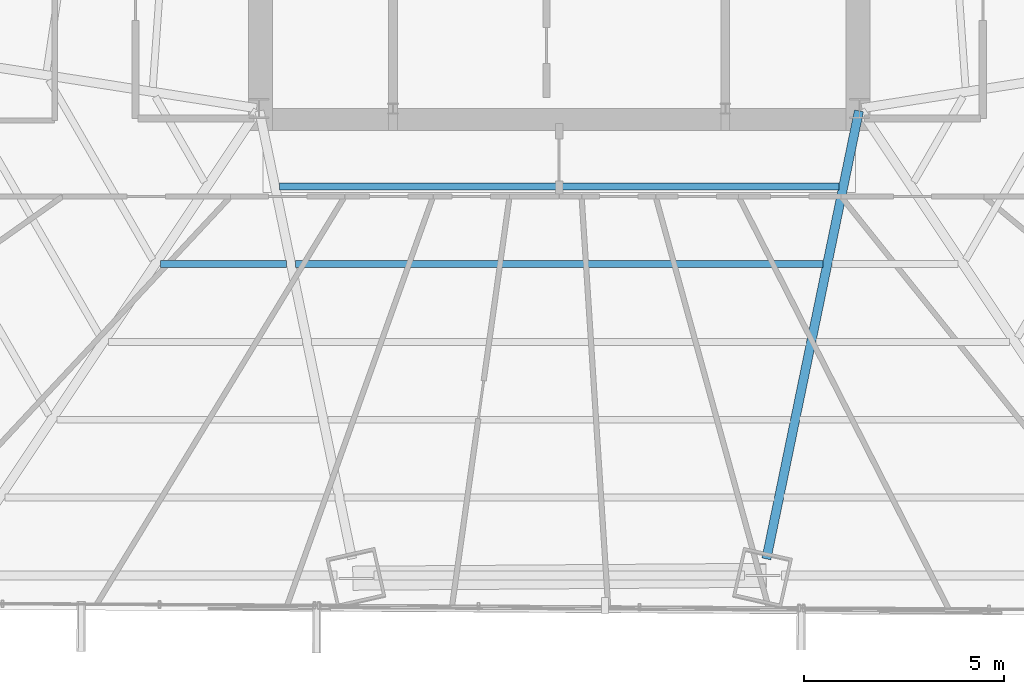
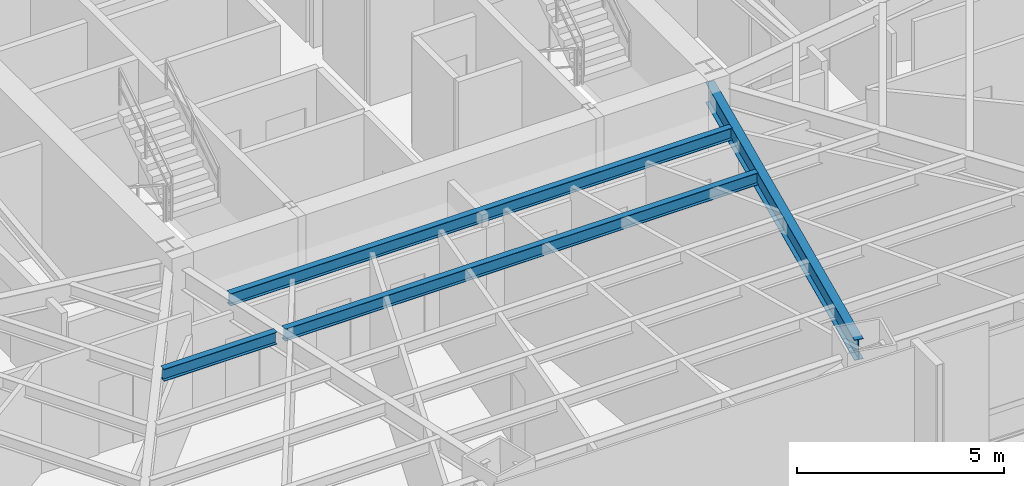
# One storey, part 10 of 39: 4 beams.
"""IFC4 building model written with IfcOpenShell, lengths in metres."""

from ifc_helpers import new_model, si_unit, direction, frame, origin, origin_2d, place, context, subcontext, project, spatial, i_section, extrude, source, transform, mapped, material, material_profile, profile_set, type_object, type_shapes, element, save


model = new_model("IFC4")

# Units and contexts
model_context = context("Model", 3, precision=1e-05, world=origin(), true_north=direction((0.0, 1.0)))
body_context = subcontext(model_context, "Body", "Model", "MODEL_VIEW")
ifc_project = project(units=[si_unit("LENGTHUNIT", "METRE"), si_unit("AREAUNIT", "SQUARE_METRE"), si_unit("VOLUMEUNIT", "CUBIC_METRE"), si_unit("PLANEANGLEUNIT", "RADIAN"), si_unit("MASSUNIT", "GRAM", prefix="KILO")], contexts=[model_context])

# Site, building, storey
site_placement = place(None, origin())
site = spatial("IfcSite", under=ifc_project, at=site_placement, CompositionType="ELEMENT")
building_placement = place(site_placement, origin())
building = spatial("IfcBuilding", under=site, at=building_placement, Name="Caelisora Broadcast Tower", CompositionType="ELEMENT")
storey_placement = place(building_placement, frame((0.0, 0.0, 71.39990234375)))
storey = spatial("IfcBuildingStorey", under=building, at=storey_placement, Name="L18", CompositionType="ELEMENT", Elevation=71.39990234375)

# Beams
ifc_material = material(Name="Steel Grade 350 (AS/NZS 3679.1)", Category="steel")
ifc_material_profile_1 = material_profile(ifc_material, i_section(OverallWidth=0.22802734375, OverallDepth=0.602294921875, WebThickness=0.010498046875, FlangeThickness=0.014892578125, at=origin_2d()), Name="Steel Grade 350 (AS/NZS 3679.1)")
ifc_profile_set_1 = profile_set([ifc_material_profile_1], Name="Steel Grade 350 (AS/NZS 3679.1)")
beam_type_1 = type_object("IfcBeamType", Name="PG04", PredefinedType="BEAM", material=ifc_profile_set_1)
shared_shape_1 = source(origin(), body_context, "Body", "SweptSolid", [
    extrude(i_section(OverallWidth=0.22802734375, OverallDepth=0.602294921875, WebThickness=0.010498046875, FlangeThickness=0.014892578125, at=origin_2d()), origin(), (0.0, 0.0, 1.0), 11.426513671875),
])
type_shapes(beam_type_1, [shared_shape_1])
beam_1_placement = place(storey_placement, frame((45.48779296875, 17.34130859375, 2.948974609375), z_axis=(-0.202357610361, -0.979311695799, 0.0), x_axis=(0.979311695799, -0.202357610361, 0.0)))
element("IfcBeam", 1, at=beam_1_placement, inside=storey, type_object=beam_type_1, Name="L18 beam PG04", PredefinedType="BEAM", context=body_context, shape_type="MappedRepresentation", body=[
    mapped(shared_shape_1, transform((0.0, 0.0, 0.0), scale=1.0)),
])
ifc_material_profile_2 = material_profile(ifc_material, i_section(OverallWidth=0.172119140625, OverallDepth=0.358642578125, WebThickness=0.008056640625, FlangeThickness=0.012939453125, at=origin_2d()), Name="Steel Grade 350 (AS/NZS 3679.1)")
ifc_profile_set_2 = profile_set([ifc_material_profile_2], Name="Steel Grade 350 (AS/NZS 3679.1)")
beam_type_2 = type_object("IfcBeamType", Name="SB02", PredefinedType="JOIST", material=ifc_profile_set_2)
shared_shape_2 = source(origin(), body_context, "Body", "SweptSolid", [
    extrude(i_section(OverallWidth=0.172119140625, OverallDepth=0.358642578125, WebThickness=0.008056640625, FlangeThickness=0.012939453125, at=origin_2d()), origin(), (0.0, 0.0, 1.0), 3.146240234375),
])
beam_2_placement = place(storey_placement, frame((28.04345703125, 13.51318359375, 3.07080078125), z_axis=(1.0, 0.0, 0.0), x_axis=(0.0, 1.0, 0.0)))
element("IfcBeam", 2, at=beam_2_placement, inside=storey, type_object=beam_type_2, Name="L18 beam SB02", PredefinedType="JOIST", context=body_context, shape_type="MappedRepresentation", body=[
    mapped(shared_shape_2, transform((0.0, 0.0, 0.0), scale=1.0)),
])
shared_shape_3 = source(origin(), body_context, "Body", "SweptSolid", [
    extrude(i_section(OverallWidth=0.172119140625, OverallDepth=0.358642578125, WebThickness=0.008056640625, FlangeThickness=0.012939453125, at=origin_2d()), origin(), (0.0, 0.0, 1.0), 13.97021484375),
])
beam_3_placement = place(storey_placement, frame((31.014892578125, 15.45654296875, 3.07080078125), z_axis=(1.0, 0.0, 0.0), x_axis=(0.0, 1.0, 0.0)))
element("IfcBeam", 3, at=beam_3_placement, inside=storey, type_object=beam_type_2, Name="L18 beam SB02", PredefinedType="JOIST", context=body_context, shape_type="MappedRepresentation", body=[
    mapped(shared_shape_3, transform((0.0, 0.0, 0.0), scale=1.0)),
])
shared_shape_4 = source(origin(), body_context, "Body", "SweptSolid", [
    extrude(i_section(OverallWidth=0.172119140625, OverallDepth=0.358642578125, WebThickness=0.008056640625, FlangeThickness=0.012939453125, at=origin_2d()), origin(), (0.0, 0.0, 1.0), 13.1669921875),
])
type_shapes(beam_type_2, [shared_shape_2, shared_shape_3, shared_shape_4])
beam_4_placement = place(storey_placement, frame((31.41650390625, 13.51318359375, 3.07080078125), z_axis=(1.0, 0.0, 0.0), x_axis=(0.0, 1.0, 0.0)))
element("IfcBeam", 4, at=beam_4_placement, inside=storey, type_object=beam_type_2, Name="L18 beam SB02", PredefinedType="JOIST", context=body_context, shape_type="MappedRepresentation", body=[
    mapped(shared_shape_4, transform((0.0, 0.0, 0.0), scale=1.0)),
])

save(model, "model.ifc")
